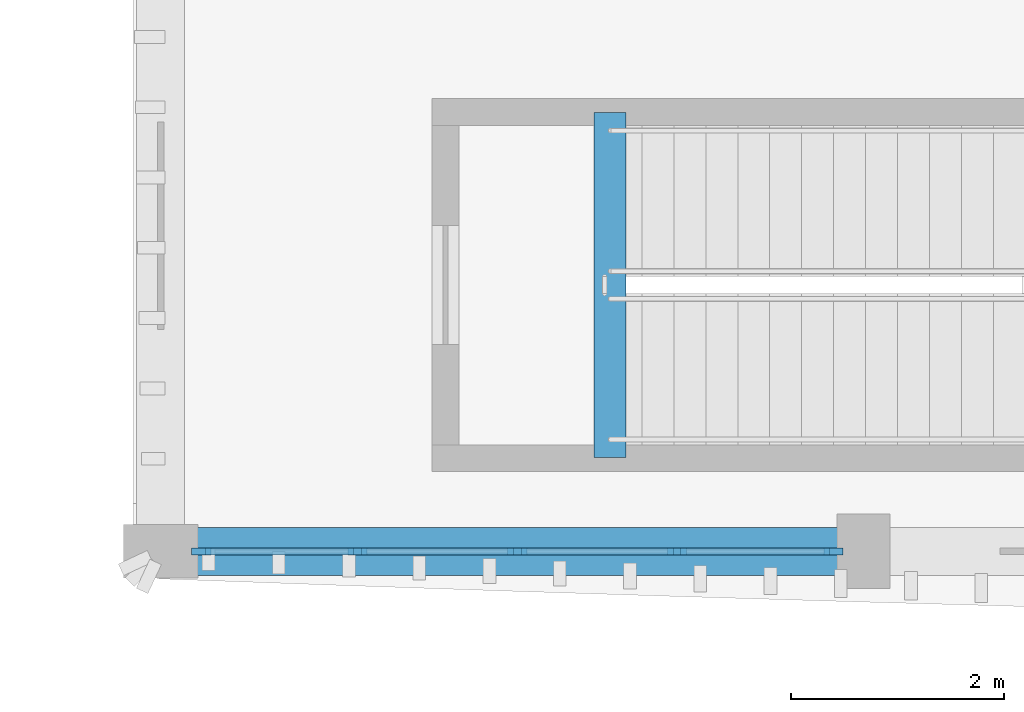
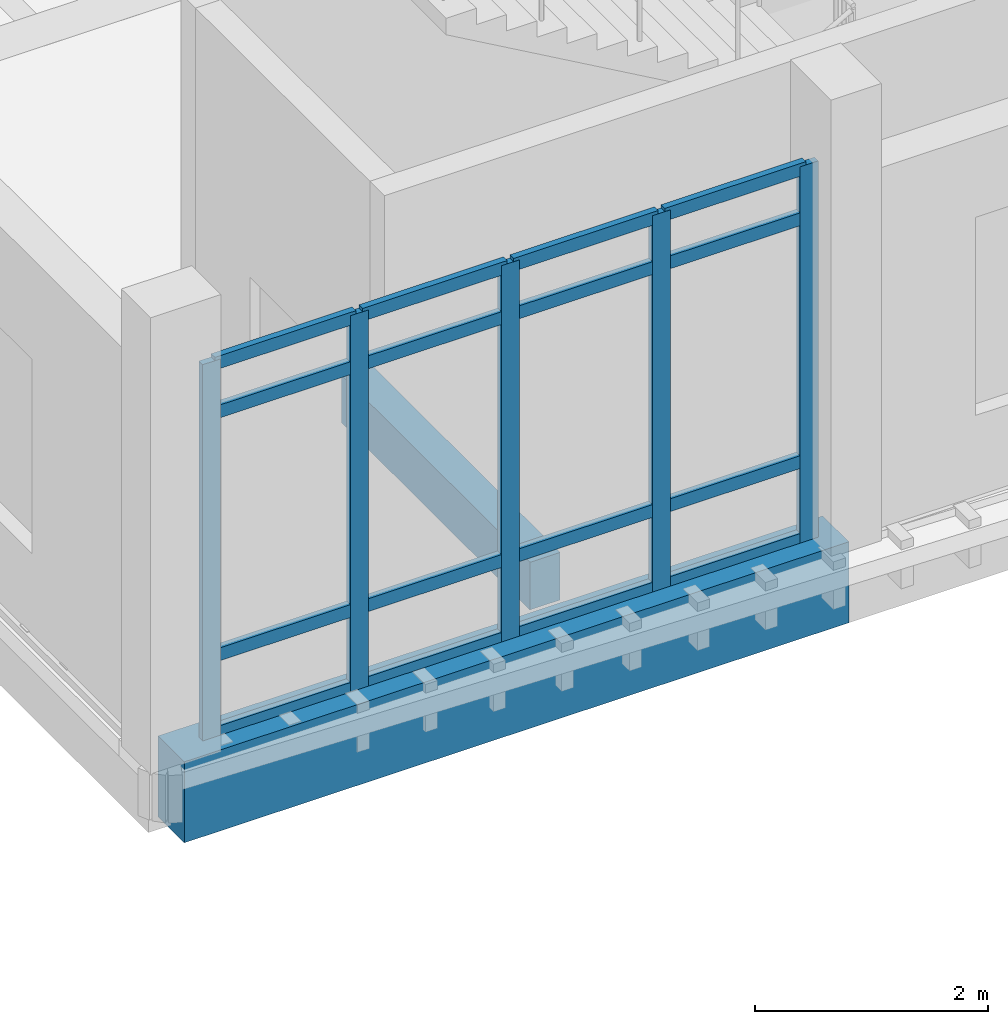
# One storey, part 38 of 125: 21 members, 2 beams, 1 element without a shape of its own.
"""IFC4 building model written with IfcOpenShell, lengths in metres."""

import ifcopenshell
import ifcopenshell.guid

model = None  # the IFC model being written
_history = None  # IfcOwnerHistory: only IFC2X3 demands one
_inside = {}  # id of a spatial element -> (the spatial element, [elements in it])
_under = {}  # id of a project, library or spatial element -> (it, [spatial elements below it])
_declared = {}  # id of a project -> (the project, [libraries it declares])
_typed = {}  # id of a type object -> (the type object, [elements of that type])
_made_of = {}  # id of a material, layer set ... -> (it, [elements and type objects made of it])


def new_model(schema):
    """Start an empty IFC model of exactly this schema.

    Asked for "IFC4X3", IfcOpenShell would pick the latest addendum, in which some entities
    have other attributes; the version numbers below select the first issue.
    IFC2X3 requires an IfcOwnerHistory on every rooted entity: one is made here for all.
    """
    global model, _history
    if schema == "IFC4X3":
        model = ifcopenshell.file(schema_version=(4, 3, 0, 0))
    else:
        model = ifcopenshell.file(schema=schema)
    _inside.clear()
    _under.clear()
    _declared.clear()
    _typed.clear()
    _made_of.clear()
    _history = None
    if model.schema == "IFC2X3":
        org = make("IfcOrganization", Name="unknown")
        user = make(
            "IfcPersonAndOrganization",
            ThePerson=make("IfcPerson", FamilyName="unknown"),
            TheOrganization=org,
        )
        app = make(
            "IfcApplication",
            ApplicationDeveloper=org,
            Version="unknown",
            ApplicationFullName="unknown",
            ApplicationIdentifier="unknown",
        )
        _history = make(
            "IfcOwnerHistory",
            OwningUser=user,
            OwningApplication=app,
            ChangeAction="ADDED",
            CreationDate=0,
        )
    return model


def make(cls, **values):
    """One entity of the class cls with the attributes given. An attribute that is None is left unset."""
    return model.create_entity(
        cls, **{name: value for name, value in values.items() if value is not None}
    )


def rooted(cls, **values):
    """An entity with a GlobalId (a new one), such as an element, a storey or a relation."""
    return make(cls, GlobalId=ifcopenshell.guid.new(), OwnerHistory=_history, **values)


def si_unit(unit_type, name, prefix=None):
    """IfcSIUnit, for example si_unit("LENGTHUNIT", "METRE", prefix="MILLI")."""
    return make("IfcSIUnit", UnitType=unit_type, Prefix=prefix, Name=name)


def assignment(units):
    """IfcUnitAssignment: the units of a project."""
    return None if units is None else make("IfcUnitAssignment", Units=units)


def point(xyz):
    """IfcCartesianPoint."""
    return None if xyz is None else make("IfcCartesianPoint", Coordinates=xyz)


def direction(xyz):
    """IfcDirection."""
    return None if xyz is None else make("IfcDirection", DirectionRatios=xyz)


def frame(location, z_axis=None, x_axis=None):
    """IfcAxis2Placement3D, a coordinate frame: its origin and axes. An axis left out is left unset."""
    return make(
        "IfcAxis2Placement3D",
        Location=point(location),
        Axis=direction(z_axis),
        RefDirection=direction(x_axis),
    )


def frame_2d(location, x_axis=None):
    """IfcAxis2Placement2D, a coordinate frame in the plane: its origin and x axis."""
    return make(
        "IfcAxis2Placement2D", Location=point(location), RefDirection=direction(x_axis)
    )


def origin():
    """The frame at (0, 0, 0) with its axes left unset."""
    return frame((0.0, 0.0, 0.0))


def origin_2d():
    """The frame at (0, 0) in the plane with its x axis left unset."""
    return frame_2d((0.0, 0.0))


def place(relative_to, where):
    """IfcLocalPlacement: puts the frame where relative to a parent placement (None: the world)."""
    return make(
        "IfcLocalPlacement", PlacementRelTo=relative_to, RelativePlacement=where
    )


def context(
    kind, dimensions, precision=None, world=None, true_north=None, identifier=None
):
    """IfcGeometricRepresentationContext, for example the 3D "Model" context."""
    return make(
        "IfcGeometricRepresentationContext",
        ContextIdentifier=identifier,
        ContextType=kind,
        CoordinateSpaceDimension=dimensions,
        Precision=precision,
        WorldCoordinateSystem=world,
        TrueNorth=true_north,
    )


def subcontext(parent, identifier, kind, view, scale=None):
    """IfcGeometricRepresentationSubContext, for example "Body" below "Model"."""
    return make(
        "IfcGeometricRepresentationSubContext",
        ContextIdentifier=identifier,
        ContextType=kind,
        ParentContext=parent,
        TargetScale=scale,
        TargetView=view,
    )


def project(units=None, contexts=None):
    """IfcProject with its units and contexts."""
    return rooted(
        "IfcProject",
        Name="project",
        RepresentationContexts=contexts,
        UnitsInContext=assignment(units),
    )


def spatial(cls, under=None, at=None, **own):
    """A site, building, storey or space (cls), placed at a placement, below another one or the project."""
    s = rooted(cls, ObjectPlacement=at, **own)
    if under is not None:
        _under.setdefault(under.id(), (under, []))[1].append(s)
    return s


def profile(cls, at=None, kind="AREA", **sizes):
    """A parametric profile (cls). Its sizes go by their IFC names, for example OverallWidth=200.0."""
    return make(cls, ProfileType=kind, Position=at, **sizes)


def rectangle(**sizes):
    """IfcRectangleProfileDef."""
    return profile("IfcRectangleProfileDef", **sizes)


def extrude(swept, where, along, depth):
    """IfcExtrudedAreaSolid: the profile swept, set in the frame where, extruded along a direction by depth."""
    return make(
        "IfcExtrudedAreaSolid",
        SweptArea=swept,
        Position=where,
        ExtrudedDirection=direction(along),
        Depth=depth,
    )


def shape(context_of_items, identifier, shape_type, items):
    """IfcShapeRepresentation: the items that make up one representation, for example the "Body"."""
    return make(
        "IfcShapeRepresentation",
        ContextOfItems=context_of_items,
        RepresentationIdentifier=identifier,
        RepresentationType=shape_type,
        Items=items,
    )


def material(Name=None, Category=None):
    """IfcMaterial."""
    return make("IfcMaterial", Name=Name, Category=Category)


def material_profile(
    of_material, cross_section, Name=None, Category=None, Priority=None
):
    """IfcMaterialProfile: a cross section and its material."""
    return make(
        "IfcMaterialProfile",
        Name=Name,
        Material=of_material,
        Profile=cross_section,
        Priority=Priority,
        Category=Category,
    )


def profile_set(profiles, Name=None, composite=None):
    """IfcMaterialProfileSet."""
    return make(
        "IfcMaterialProfileSet",
        Name=Name,
        MaterialProfiles=profiles,
        CompositeProfile=composite,
    )


def made_of(thing, what):
    """Note that an element or type object is made of a material, layer set ...; save() writes the relation."""
    if what is not None:
        _made_of.setdefault(what.id(), (what, []))[1].append(thing)
    return thing


def type_object(cls, material=None, **own):
    """A type object (cls), such as IfcWallType, which elements share."""
    return made_of(rooted(cls, **own), material)


def element(
    cls,
    number,
    at=None,
    inside=None,
    cuts=None,
    type_object=None,
    material=None,
    context=None,
    identifier="Body",
    shape_type=None,
    held_by="IfcProductDefinitionShape",
    body=None,
    shapes=None,
    **own,
):
    """One element of the class cls, such as IfcWall. Its Tag is "e" and its number.

    at: its placement. inside: the storey or other place that contains it. cuts: it is an
    opening in that element (IfcRelVoidsElement). A single representation is given by context,
    identifier, shape_type and body (its items); several are given by shapes. held_by: the class
    of the entity that holds the representations. save() writes the other relations.
    """
    e = rooted(cls, Tag="e%d" % number, ObjectPlacement=at, **own)
    if body is not None:
        shapes = [shape(context, identifier, shape_type, body)]
    if shapes is not None:
        e.Representation = make(held_by, Representations=shapes)
    if inside is not None:
        _inside.setdefault(inside.id(), (inside, []))[1].append(e)
    if cuts is not None:
        rooted(
            "IfcRelVoidsElement", RelatingBuildingElement=cuts, RelatedOpeningElement=e
        )
    if type_object is not None:
        _typed.setdefault(type_object.id(), (type_object, []))[1].append(e)
    return made_of(e, material)


def aggregate(whole, parts):
    """IfcRelAggregates: a whole, such as a stair, and the parts it consists of."""
    return rooted("IfcRelAggregates", RelatingObject=whole, RelatedObjects=parts)


def save(model, path):
    """Write the relations noted so far, then the file.

    IfcRelAggregates (storeys below a building ...), IfcRelContainedInSpatialStructure (elements
    in a storey), IfcRelDefinesByType, IfcRelAssociatesMaterial and IfcRelDeclares: one each for
    every whole, place, type object, material and project.
    """
    for whole, parts in _under.values():
        aggregate(whole, parts)
    for where, things in _inside.values():
        rooted(
            "IfcRelContainedInSpatialStructure",
            RelatedElements=things,
            RelatingStructure=where,
        )
    for kind, things in _typed.values():
        rooted("IfcRelDefinesByType", RelatedObjects=things, RelatingType=kind)
    for what, things in _made_of.values():
        rooted("IfcRelAssociatesMaterial", RelatedObjects=things, RelatingMaterial=what)
    for by, libraries in _declared.values():
        rooted("IfcRelDeclares", RelatingContext=by, RelatedDefinitions=libraries)
    model.write(path)


model = new_model("IFC4")

# Units and contexts
model_context = context("Model", 3, precision=1e-05, world=origin(), true_north=direction((0.0, 1.0)))
body_context = subcontext(model_context, "Body", "Model", "MODEL_VIEW")
ifc_project = project(units=[si_unit("LENGTHUNIT", "METRE"), si_unit("AREAUNIT", "SQUARE_METRE"), si_unit("VOLUMEUNIT", "CUBIC_METRE"), si_unit("PLANEANGLEUNIT", "RADIAN"), si_unit("MASSUNIT", "GRAM", prefix="KILO")], contexts=[model_context])

# Site, building, storey
site_placement = place(None, origin())
site = spatial("IfcSite", under=ifc_project, at=site_placement, CompositionType="ELEMENT")
building_placement = place(site_placement, origin())
building = spatial("IfcBuilding", under=site, at=building_placement, Name="Dornvale Research Institute", CompositionType="ELEMENT")
storey_placement = place(building_placement, frame((0.0, 0.0, 5.39990234375)))
storey = spatial("IfcBuildingStorey", under=building, at=storey_placement, Name="L01", CompositionType="ELEMENT", Elevation=5.39990234375)

# Beam
ifc_material_1 = material(Name="Concrete f'c 45 MPa (C35/45)", Category="concrete")
ifc_material_profile_1 = material_profile(ifc_material_1, rectangle(XDim=0.300048828125, YDim=0.5, at=origin_2d()), Name="RC 300x500")
ifc_profile_set_1 = profile_set([ifc_material_profile_1], Name="Concrete f'c 45 MPa (C35/45)")
beam_type_1 = type_object("IfcBeamType", Name="Beam_RC300x500_Trim", PredefinedType="BEAM", material=ifc_profile_set_1)
beam_1_placement = place(storey_placement, frame((123.02001953125, 93.280029296875, -0.25), z_axis=(0.0, 1.0, 0.0), x_axis=(-1.0, 0.0, 0.0)))
element("IfcBeam", 1, at=beam_1_placement, inside=storey, type_object=beam_type_1, Name="L01 ST-3 stair landing trimmer beam #48", PredefinedType="BEAM", context=body_context, shape_type="SweptSolid", body=[
    extrude(rectangle(XDim=0.300048828125, YDim=0.5, at=origin_2d()), origin(), (0.0, 0.0, 1.0), 3.239990234375),
])

# Curtain wall, members
ifc_material_2 = material(Name="Low-E Argon Double Insulating Glazing Unit", Category="glass")
curtain_wall_type = type_object("IfcCurtainWallType", Name="UnitisedCurtainWall_V4_6000x3950", PredefinedType="USERDEFINED", material=ifc_material_2)
curtain_wall_placement = place(storey_placement, origin())
curtain_wall = element("IfcCurtainWall", 2, at=curtain_wall_placement, inside=storey, type_object=curtain_wall_type, Name="L01 V4 unitised curtain wall CW-14 #81", ObjectType="UNITISED CURTAIN WALL", PredefinedType="USERDEFINED")
ifc_material_3 = material(Name="Anodized Aluminum AA 6063-T6 Thermally Broken Frame", Category="aluminium")
ifc_material_profile_2 = material_profile(ifc_material_3, rectangle(XDim=0.06494140625, YDim=0.179931640625, at=origin_2d()), Name="ALU MULLION 65x180")
ifc_profile_set_2 = profile_set([ifc_material_profile_2], Name="Anodized Aluminum AA 6063-T6 Thermally Broken Frame")
member_type_1 = type_object("IfcMemberType", Name="Mullion_CW_65x180", PredefinedType="MULLION", material=ifc_profile_set_2)
member_1_placement = place(storey_placement, frame((125.117431640625, 92.39990234375, 0.0), z_axis=(0.0, 0.0, 1.0), x_axis=(0.0, -1.0, 0.0)))
member_1 = element("IfcMember", 3, at=member_1_placement, type_object=member_type_1, Name="CW-14 mullion 1", PredefinedType="MULLION", context=body_context, shape_type="SweptSolid", body=[
    extrude(rectangle(XDim=0.06494140625, YDim=0.179931640625, at=origin_2d()), origin(), (0.0, 0.0, 1.0), 3.9501953125),
])
member_2_placement = place(storey_placement, frame((123.64990234375, 92.39990234375, 0.0), z_axis=(0.0, 0.0, 1.0), x_axis=(0.0, -1.0, 0.0)))
member_2 = element("IfcMember", 4, at=member_2_placement, type_object=member_type_1, Name="CW-14 mullion 2", PredefinedType="MULLION", context=body_context, shape_type="SweptSolid", body=[
    extrude(rectangle(XDim=0.06494140625, YDim=0.179931640625, at=origin_2d()), origin(), (0.0, 0.0, 1.0), 3.9501953125),
])
member_3_placement = place(storey_placement, frame((122.14990234375, 92.39990234375, 0.0), z_axis=(0.0, 0.0, 1.0), x_axis=(0.0, -1.0, 0.0)))
member_3 = element("IfcMember", 5, at=member_3_placement, type_object=member_type_1, Name="CW-14 mullion 3", PredefinedType="MULLION", context=body_context, shape_type="SweptSolid", body=[
    extrude(rectangle(XDim=0.06494140625, YDim=0.179931640625, at=origin_2d()), origin(), (0.0, 0.0, 1.0), 3.9501953125),
])
member_4_placement = place(storey_placement, frame((120.64990234375, 92.39990234375, 0.0), z_axis=(0.0, 0.0, 1.0), x_axis=(0.0, -1.0, 0.0)))
member_4 = element("IfcMember", 6, at=member_4_placement, type_object=member_type_1, Name="CW-14 mullion 4", PredefinedType="MULLION", context=body_context, shape_type="SweptSolid", body=[
    extrude(rectangle(XDim=0.06494140625, YDim=0.179931640625, at=origin_2d()), origin(), (0.0, 0.0, 1.0), 3.9501953125),
])
member_5_placement = place(storey_placement, frame((119.1826171875, 92.39990234375, 0.0), z_axis=(0.0, 0.0, 1.0), x_axis=(0.0, -1.0, 0.0)))
member_5 = element("IfcMember", 7, at=member_5_placement, type_object=member_type_1, Name="CW-14 mullion 5", PredefinedType="MULLION", context=body_context, shape_type="SweptSolid", body=[
    extrude(rectangle(XDim=0.06494140625, YDim=0.179931640625, at=origin_2d()), origin(), (0.0, 0.0, 1.0), 3.9501953125),
])

# Beam
ifc_material_4 = material(Name="Concrete f'c 45 MPa (C35/45)", Category="concrete")
ifc_material_profile_3 = material_profile(ifc_material_4, rectangle(XDim=0.449951171875, YDim=0.85009765625, at=origin_2d()), Name="RC 450x850")
ifc_profile_set_3 = profile_set([ifc_material_profile_3], Name="Concrete f'c 45 MPa (C35/45)")
beam_type_2 = type_object("IfcBeamType", Name="Spandrel_RC450x850_Ext", PredefinedType="SPANDREL", material=ifc_profile_set_3)
beam_2_placement = place(storey_placement, frame((118.800048828125, 92.39990234375, -0.4248046875), z_axis=(1.0, 0.0, 0.0), x_axis=(0.0, 1.0, 0.0)))
element("IfcBeam", 8, at=beam_2_placement, inside=storey, type_object=beam_type_2, Name="L01 perimeter spandrel #354", PredefinedType="SPANDREL", context=body_context, shape_type="SweptSolid", body=[
    extrude(rectangle(XDim=0.449951171875, YDim=0.85009765625, at=origin_2d()), origin(), (0.0, 0.0, 1.0), 6.599853515625),
])

# Member
ifc_material_5 = material(Name="Anodized Aluminum AA 6063-T6 Thermally Broken Frame", Category="aluminium")
ifc_material_profile_4 = material_profile(ifc_material_5, rectangle(XDim=0.06494140625, YDim=0.135009765625, at=origin_2d()), Name="ALU TRANSOM 65x135")
ifc_profile_set_4 = profile_set([ifc_material_profile_4], Name="Anodized Aluminum AA 6063-T6 Thermally Broken Frame")
member_type_2 = type_object("IfcMemberType", Name="Transom_CW_65x135", PredefinedType="USERDEFINED", material=ifc_profile_set_4)
member_6_placement = place(storey_placement, frame((125.0849609375, 92.39990234375, 0.03271484375), z_axis=(-1.0, 0.0, 0.0), x_axis=(0.0, -1.0, 0.0)))
member_6 = element("IfcMember", 9, at=member_6_placement, type_object=member_type_2, Name="CW-14 transom 1.1", ObjectType="TRANSOM", PredefinedType="USERDEFINED", context=body_context, shape_type="SweptSolid", body=[
    extrude(rectangle(XDim=0.06494140625, YDim=0.135009765625, at=origin_2d()), origin(), (0.0, 0.0, 1.0), 1.40234375),
])

member_7_placement = place(storey_placement, frame((125.0849609375, 92.39990234375, 0.85009765625), z_axis=(-1.0, 0.0, 0.0), x_axis=(0.0, -1.0, 0.0)))
member_7 = element("IfcMember", 10, at=member_7_placement, type_object=member_type_2, Name="CW-14 transom 1.2", ObjectType="TRANSOM", PredefinedType="USERDEFINED", context=body_context, shape_type="SweptSolid", body=[
    extrude(rectangle(XDim=0.06494140625, YDim=0.135009765625, at=origin_2d()), origin(), (0.0, 0.0, 1.0), 1.40234375),
])

member_8_placement = place(storey_placement, frame((125.0849609375, 92.39990234375, 3.400146484375), z_axis=(-1.0, 0.0, 0.0), x_axis=(0.0, -1.0, 0.0)))
member_8 = element("IfcMember", 11, at=member_8_placement, type_object=member_type_2, Name="CW-14 transom 1.3", ObjectType="TRANSOM", PredefinedType="USERDEFINED", context=body_context, shape_type="SweptSolid", body=[
    extrude(rectangle(XDim=0.06494140625, YDim=0.135009765625, at=origin_2d()), origin(), (0.0, 0.0, 1.0), 1.40234375),
])

member_9_placement = place(storey_placement, frame((125.0849609375, 92.39990234375, 3.91748046875), z_axis=(-1.0, 0.0, 0.0), x_axis=(0.0, -1.0, 0.0)))
member_9 = element("IfcMember", 12, at=member_9_placement, type_object=member_type_2, Name="CW-14 transom 1.4", ObjectType="TRANSOM", PredefinedType="USERDEFINED", context=body_context, shape_type="SweptSolid", body=[
    extrude(rectangle(XDim=0.06494140625, YDim=0.135009765625, at=origin_2d()), origin(), (0.0, 0.0, 1.0), 1.40234375),
])

member_10_placement = place(storey_placement, frame((123.617431640625, 92.39990234375, 0.03271484375), z_axis=(-1.0, 0.0, 0.0), x_axis=(0.0, -1.0, 0.0)))
member_10 = element("IfcMember", 13, at=member_10_placement, type_object=member_type_2, Name="CW-14 transom 2.1", ObjectType="TRANSOM", PredefinedType="USERDEFINED", context=body_context, shape_type="SweptSolid", body=[
    extrude(rectangle(XDim=0.06494140625, YDim=0.135009765625, at=origin_2d()), origin(), (0.0, 0.0, 1.0), 1.434814453125),
])

member_11_placement = place(storey_placement, frame((123.617431640625, 92.39990234375, 0.85009765625), z_axis=(-1.0, 0.0, 0.0), x_axis=(0.0, -1.0, 0.0)))
member_11 = element("IfcMember", 14, at=member_11_placement, type_object=member_type_2, Name="CW-14 transom 2.2", ObjectType="TRANSOM", PredefinedType="USERDEFINED", context=body_context, shape_type="SweptSolid", body=[
    extrude(rectangle(XDim=0.06494140625, YDim=0.135009765625, at=origin_2d()), origin(), (0.0, 0.0, 1.0), 1.434814453125),
])

member_12_placement = place(storey_placement, frame((123.617431640625, 92.39990234375, 3.400146484375), z_axis=(-1.0, 0.0, 0.0), x_axis=(0.0, -1.0, 0.0)))
member_12 = element("IfcMember", 15, at=member_12_placement, type_object=member_type_2, Name="CW-14 transom 2.3", ObjectType="TRANSOM", PredefinedType="USERDEFINED", context=body_context, shape_type="SweptSolid", body=[
    extrude(rectangle(XDim=0.06494140625, YDim=0.135009765625, at=origin_2d()), origin(), (0.0, 0.0, 1.0), 1.434814453125),
])

member_13_placement = place(storey_placement, frame((123.617431640625, 92.39990234375, 3.91748046875), z_axis=(-1.0, 0.0, 0.0), x_axis=(0.0, -1.0, 0.0)))
member_13 = element("IfcMember", 16, at=member_13_placement, type_object=member_type_2, Name="CW-14 transom 2.4", ObjectType="TRANSOM", PredefinedType="USERDEFINED", context=body_context, shape_type="SweptSolid", body=[
    extrude(rectangle(XDim=0.06494140625, YDim=0.135009765625, at=origin_2d()), origin(), (0.0, 0.0, 1.0), 1.434814453125),
])

member_14_placement = place(storey_placement, frame((122.117431640625, 92.39990234375, 0.03271484375), z_axis=(-1.0, 0.0, 0.0), x_axis=(0.0, -1.0, 0.0)))
member_14 = element("IfcMember", 17, at=member_14_placement, type_object=member_type_2, Name="CW-14 transom 3.1", ObjectType="TRANSOM", PredefinedType="USERDEFINED", context=body_context, shape_type="SweptSolid", body=[
    extrude(rectangle(XDim=0.06494140625, YDim=0.135009765625, at=origin_2d()), origin(), (0.0, 0.0, 1.0), 1.434814453125),
])

member_15_placement = place(storey_placement, frame((122.117431640625, 92.39990234375, 0.85009765625), z_axis=(-1.0, 0.0, 0.0), x_axis=(0.0, -1.0, 0.0)))
member_15 = element("IfcMember", 18, at=member_15_placement, type_object=member_type_2, Name="CW-14 transom 3.2", ObjectType="TRANSOM", PredefinedType="USERDEFINED", context=body_context, shape_type="SweptSolid", body=[
    extrude(rectangle(XDim=0.06494140625, YDim=0.135009765625, at=origin_2d()), origin(), (0.0, 0.0, 1.0), 1.434814453125),
])

member_16_placement = place(storey_placement, frame((122.117431640625, 92.39990234375, 3.400146484375), z_axis=(-1.0, 0.0, 0.0), x_axis=(0.0, -1.0, 0.0)))
member_16 = element("IfcMember", 19, at=member_16_placement, type_object=member_type_2, Name="CW-14 transom 3.3", ObjectType="TRANSOM", PredefinedType="USERDEFINED", context=body_context, shape_type="SweptSolid", body=[
    extrude(rectangle(XDim=0.06494140625, YDim=0.135009765625, at=origin_2d()), origin(), (0.0, 0.0, 1.0), 1.434814453125),
])

member_17_placement = place(storey_placement, frame((122.117431640625, 92.39990234375, 3.91748046875), z_axis=(-1.0, 0.0, 0.0), x_axis=(0.0, -1.0, 0.0)))
member_17 = element("IfcMember", 20, at=member_17_placement, type_object=member_type_2, Name="CW-14 transom 3.4", ObjectType="TRANSOM", PredefinedType="USERDEFINED", context=body_context, shape_type="SweptSolid", body=[
    extrude(rectangle(XDim=0.06494140625, YDim=0.135009765625, at=origin_2d()), origin(), (0.0, 0.0, 1.0), 1.434814453125),
])

member_18_placement = place(storey_placement, frame((120.617431640625, 92.39990234375, 0.03271484375), z_axis=(-1.0, 0.0, 0.0), x_axis=(0.0, -1.0, 0.0)))
member_18 = element("IfcMember", 21, at=member_18_placement, type_object=member_type_2, Name="CW-14 transom 4.1", ObjectType="TRANSOM", PredefinedType="USERDEFINED", context=body_context, shape_type="SweptSolid", body=[
    extrude(rectangle(XDim=0.06494140625, YDim=0.135009765625, at=origin_2d()), origin(), (0.0, 0.0, 1.0), 1.40234375),
])

member_19_placement = place(storey_placement, frame((120.617431640625, 92.39990234375, 0.85009765625), z_axis=(-1.0, 0.0, 0.0), x_axis=(0.0, -1.0, 0.0)))
member_19 = element("IfcMember", 22, at=member_19_placement, type_object=member_type_2, Name="CW-14 transom 4.2", ObjectType="TRANSOM", PredefinedType="USERDEFINED", context=body_context, shape_type="SweptSolid", body=[
    extrude(rectangle(XDim=0.06494140625, YDim=0.135009765625, at=origin_2d()), origin(), (0.0, 0.0, 1.0), 1.40234375),
])

member_20_placement = place(storey_placement, frame((120.617431640625, 92.39990234375, 3.400146484375), z_axis=(-1.0, 0.0, 0.0), x_axis=(0.0, -1.0, 0.0)))
member_20 = element("IfcMember", 23, at=member_20_placement, type_object=member_type_2, Name="CW-14 transom 4.3", ObjectType="TRANSOM", PredefinedType="USERDEFINED", context=body_context, shape_type="SweptSolid", body=[
    extrude(rectangle(XDim=0.06494140625, YDim=0.135009765625, at=origin_2d()), origin(), (0.0, 0.0, 1.0), 1.40234375),
])

member_21_placement = place(storey_placement, frame((120.617431640625, 92.39990234375, 3.91748046875), z_axis=(-1.0, 0.0, 0.0), x_axis=(0.0, -1.0, 0.0)))
member_21 = element("IfcMember", 24, at=member_21_placement, type_object=member_type_2, Name="CW-14 transom 4.4", ObjectType="TRANSOM", PredefinedType="USERDEFINED", context=body_context, shape_type="SweptSolid", body=[
    extrude(rectangle(XDim=0.06494140625, YDim=0.135009765625, at=origin_2d()), origin(), (0.0, 0.0, 1.0), 1.40234375),
])

aggregate(curtain_wall, [member_1, member_2, member_3, member_4, member_5, member_6, member_7, member_8, member_9, member_10, member_11, member_12, member_13, member_14, member_15, member_16, member_17, member_18, member_19, member_20, member_21])

save(model, "model.ifc")
